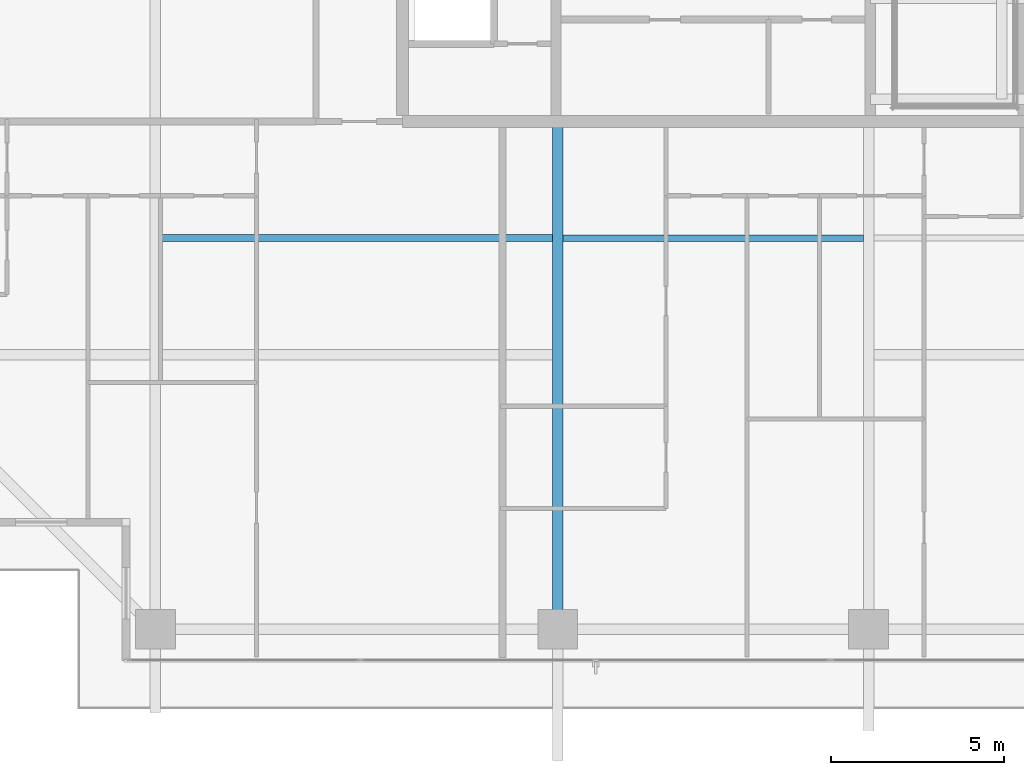
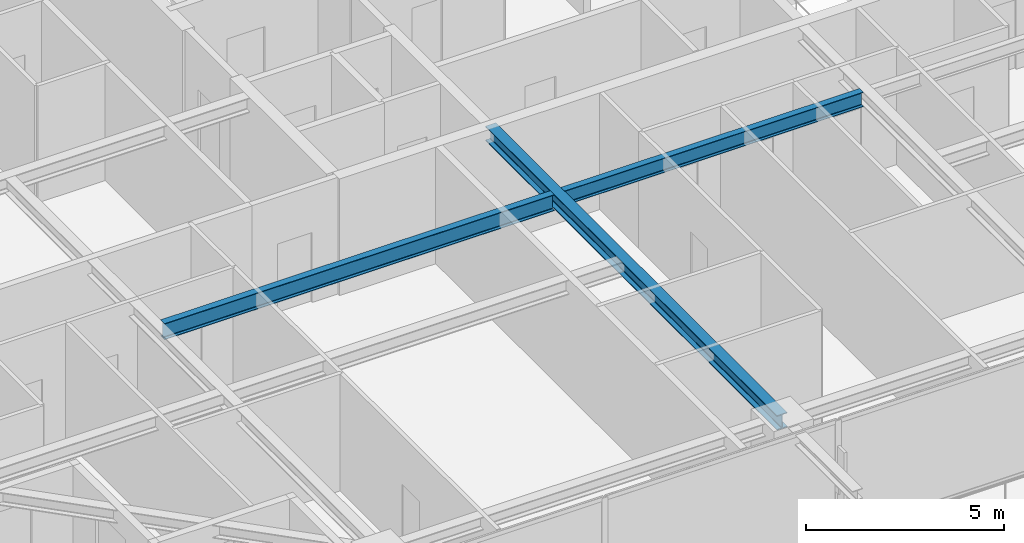
# One storey, part 7 of 40: 3 beams.
"""IFC4 building model written with IfcOpenShell, lengths in metres."""

from ifc_helpers import new_model, si_unit, direction, frame, origin, origin_2d, place, context, subcontext, project, spatial, i_section, extrude, source, transform, mapped, material, material_profile, profile_set, type_object, element, save


model = new_model("IFC4")

# Units and contexts
model_context = context("Model", 3, precision=1e-05, world=origin(), true_north=direction((0.0, 1.0)))
body_context = subcontext(model_context, "Body", "Model", "MODEL_VIEW")
ifc_project = project(units=[si_unit("LENGTHUNIT", "METRE"), si_unit("AREAUNIT", "SQUARE_METRE"), si_unit("VOLUMEUNIT", "CUBIC_METRE"), si_unit("PLANEANGLEUNIT", "RADIAN"), si_unit("MASSUNIT", "GRAM", prefix="KILO")], contexts=[model_context])

# Site, building, storey
site_placement = place(None, origin())
site = spatial("IfcSite", under=ifc_project, at=site_placement, CompositionType="ELEMENT")
building_placement = place(site_placement, origin())
building = spatial("IfcBuilding", under=site, at=building_placement, Name="Serunith Strait Residences", CompositionType="ELEMENT")
storey_placement = place(building_placement, frame((0.0, 0.0, 252.800048828125)))
storey = spatial("IfcBuildingStorey", under=building, at=storey_placement, Name="L63", CompositionType="ELEMENT", Elevation=252.800048828125)

# Beams
ifc_material = material(Name="Steel S355J2", Category="steel")
ifc_material_profile_1 = material_profile(ifc_material, i_section(OverallWidth=0.18994140625, OverallDepth=0.449951171875, WebThickness=0.009521484375, FlangeThickness=0.0146484375, FilletRadius=0.02099609375, at=origin_2d()), Name="IPE 450")
ifc_profile_set_1 = profile_set([ifc_material_profile_1], Name="Steel S355J2")
beam_type_1 = type_object("IfcBeamType", Name="BM-IPE450", PredefinedType="JOIST", material=ifc_profile_set_1)
shared_shape_1 = source(origin(), body_context, "Body", "SweptSolid", [
    extrude(i_section(OverallWidth=0.18994140625, OverallDepth=0.449951171875, WebThickness=0.009521484375, FlangeThickness=0.0146484375, FilletRadius=0.02099609375, at=origin_2d()), origin(), (0.0, 0.0, 1.0), 8.699951171875),
])
beam_1_placement = place(storey_placement, frame((28.050048828125, 13.425048828125, 3.362060546875), z_axis=(1.0, 0.0, 0.0), x_axis=(0.0, 1.0, 0.0)))
element("IfcBeam", 1, at=beam_1_placement, inside=storey, type_object=beam_type_1, Name="L63 Composite Floor Joist 02", PredefinedType="JOIST", context=body_context, shape_type="MappedRepresentation", body=[
    mapped(shared_shape_1, transform((0.0, 0.0, 0.0), scale=1.0)),
])
ifc_material_profile_2 = material_profile(ifc_material, i_section(OverallWidth=0.300048828125, OverallDepth=0.449951171875, WebThickness=0.013916015625, FlangeThickness=0.02587890625, FilletRadius=0.027099609375, at=origin_2d()), Name="HEB 450")
ifc_profile_set_2 = profile_set([ifc_material_profile_2], Name="Steel S355J2")
beam_type_2 = type_object("IfcBeamType", Name="BM-HEB450", PredefinedType="BEAM", material=ifc_profile_set_2)
shared_shape_2 = source(origin(), body_context, "Body", "SweptSolid", [
    extrude(i_section(OverallWidth=0.300048828125, OverallDepth=0.449951171875, WebThickness=0.013916015625, FlangeThickness=0.02587890625, FilletRadius=0.027099609375, at=origin_2d()), origin(), (0.0, 0.0, 1.0), 14.699951171875),
])
beam_2_placement = place(storey_placement, frame((27.89990234375, 16.800048828125, 3.362060546875), z_axis=(0.0, -1.0, 0.0), x_axis=(1.0, 0.0, 0.0)))
element("IfcBeam", 2, at=beam_2_placement, inside=storey, type_object=beam_type_2, Name="L63 Primary Floor Girder TC-S2", PredefinedType="BEAM", context=body_context, shape_type="MappedRepresentation", body=[
    mapped(shared_shape_2, transform((0.0, 0.0, 0.0), scale=1.0)),
])
ifc_material_profile_3 = material_profile(ifc_material, i_section(OverallWidth=0.199951171875, OverallDepth=0.5, WebThickness=0.01025390625, FlangeThickness=0.01611328125, FilletRadius=0.02099609375, at=origin_2d()), Name="IPE 500")
ifc_profile_set_3 = profile_set([ifc_material_profile_3], Name="Steel S355J2")
beam_type_3 = type_object("IfcBeamType", Name="BM-IPE500", PredefinedType="JOIST", material=ifc_profile_set_3)
shared_shape_3 = source(origin(), body_context, "Body", "SweptSolid", [
    extrude(i_section(OverallWidth=0.199951171875, OverallDepth=0.5, WebThickness=0.01025390625, FlangeThickness=0.01611328125, FilletRadius=0.02099609375, at=origin_2d()), origin(), (0.0, 0.0, 1.0), 11.35009765625),
])
beam_3_placement = place(storey_placement, frame((16.39990234375, 13.425048828125, 3.3369140625), z_axis=(1.0, 0.0, 0.0), x_axis=(0.0, 1.0, 0.0)))
element("IfcBeam", 3, at=beam_3_placement, inside=storey, type_object=beam_type_3, Name="L63 Composite Floor Joist 01", PredefinedType="JOIST", context=body_context, shape_type="MappedRepresentation", body=[
    mapped(shared_shape_3, transform((0.0, 0.0, 0.0), scale=1.0)),
])

save(model, "model.ifc")
